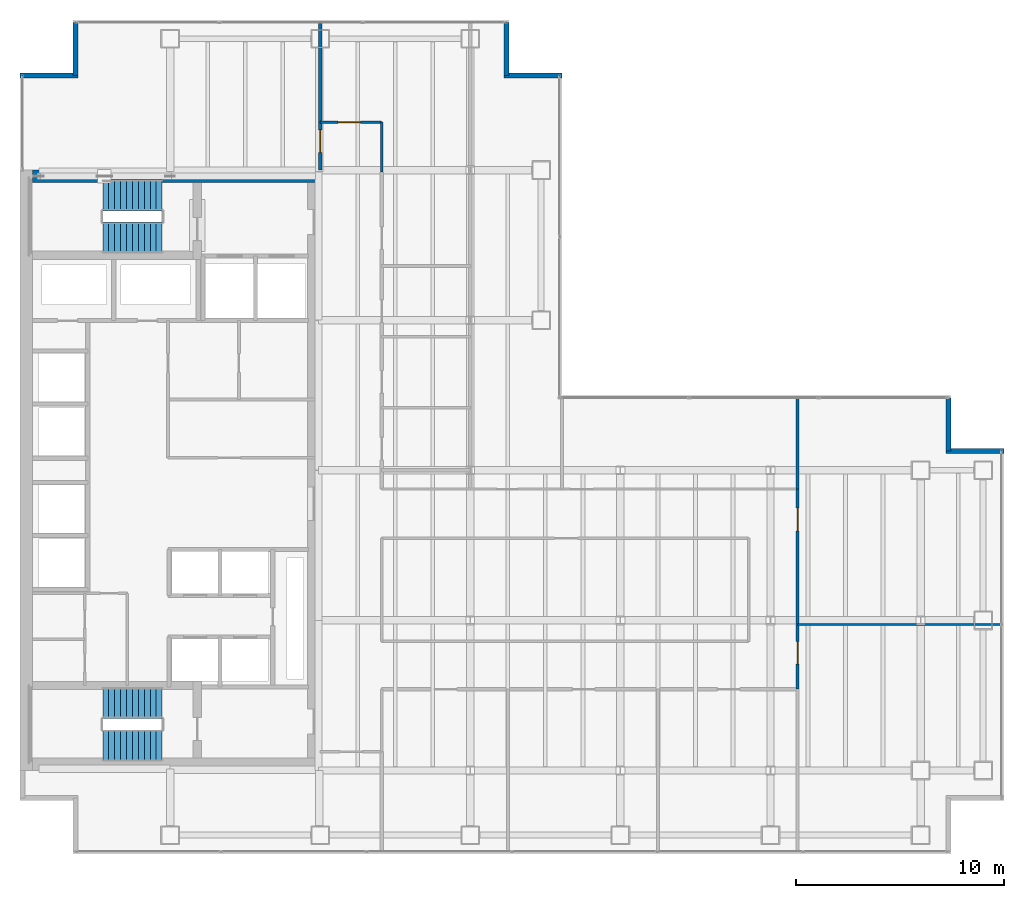
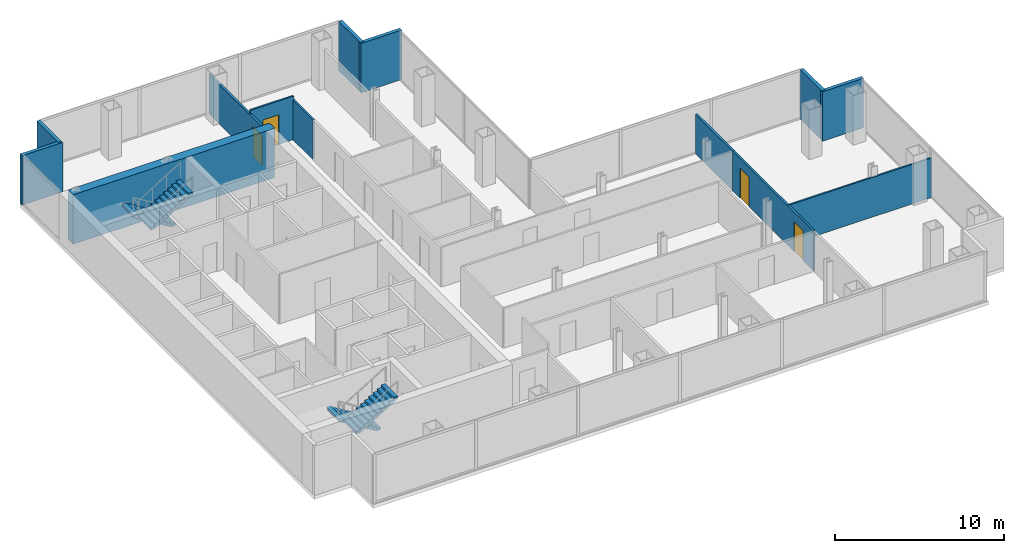
# One storey, part 22 of 23: 13 walls, 4 doors, 4 stair flights, 4 openings, 2 elements without a shape of their own.
"""IFC4 building model written with IfcOpenShell, lengths in metres."""

import ifcopenshell
import ifcopenshell.guid

model = None  # the IFC model being written
_history = None  # IfcOwnerHistory: only IFC2X3 demands one
_inside = {}  # id of a spatial element -> (the spatial element, [elements in it])
_under = {}  # id of a project, library or spatial element -> (it, [spatial elements below it])
_declared = {}  # id of a project -> (the project, [libraries it declares])
_typed = {}  # id of a type object -> (the type object, [elements of that type])
_made_of = {}  # id of a material, layer set ... -> (it, [elements and type objects made of it])


def new_model(schema):
    """Start an empty IFC model of exactly this schema.

    Asked for "IFC4X3", IfcOpenShell would pick the latest addendum, in which some entities
    have other attributes; the version numbers below select the first issue.
    IFC2X3 requires an IfcOwnerHistory on every rooted entity: one is made here for all.
    """
    global model, _history
    if schema == "IFC4X3":
        model = ifcopenshell.file(schema_version=(4, 3, 0, 0))
    else:
        model = ifcopenshell.file(schema=schema)
    _inside.clear()
    _under.clear()
    _declared.clear()
    _typed.clear()
    _made_of.clear()
    _history = None
    if model.schema == "IFC2X3":
        org = make("IfcOrganization", Name="unknown")
        user = make(
            "IfcPersonAndOrganization",
            ThePerson=make("IfcPerson", FamilyName="unknown"),
            TheOrganization=org,
        )
        app = make(
            "IfcApplication",
            ApplicationDeveloper=org,
            Version="unknown",
            ApplicationFullName="unknown",
            ApplicationIdentifier="unknown",
        )
        _history = make(
            "IfcOwnerHistory",
            OwningUser=user,
            OwningApplication=app,
            ChangeAction="ADDED",
            CreationDate=0,
        )
    return model


def make(cls, **values):
    """One entity of the class cls with the attributes given. An attribute that is None is left unset."""
    return model.create_entity(
        cls, **{name: value for name, value in values.items() if value is not None}
    )


def rooted(cls, **values):
    """An entity with a GlobalId (a new one), such as an element, a storey or a relation."""
    return make(cls, GlobalId=ifcopenshell.guid.new(), OwnerHistory=_history, **values)


def si_unit(unit_type, name, prefix=None):
    """IfcSIUnit, for example si_unit("LENGTHUNIT", "METRE", prefix="MILLI")."""
    return make("IfcSIUnit", UnitType=unit_type, Prefix=prefix, Name=name)


def assignment(units):
    """IfcUnitAssignment: the units of a project."""
    return None if units is None else make("IfcUnitAssignment", Units=units)


def point(xyz):
    """IfcCartesianPoint."""
    return None if xyz is None else make("IfcCartesianPoint", Coordinates=xyz)


def direction(xyz):
    """IfcDirection."""
    return None if xyz is None else make("IfcDirection", DirectionRatios=xyz)


def frame(location, z_axis=None, x_axis=None):
    """IfcAxis2Placement3D, a coordinate frame: its origin and axes. An axis left out is left unset."""
    return make(
        "IfcAxis2Placement3D",
        Location=point(location),
        Axis=direction(z_axis),
        RefDirection=direction(x_axis),
    )


def frame_2d(location, x_axis=None):
    """IfcAxis2Placement2D, a coordinate frame in the plane: its origin and x axis."""
    return make(
        "IfcAxis2Placement2D", Location=point(location), RefDirection=direction(x_axis)
    )


def origin():
    """The frame at (0, 0, 0) with its axes left unset."""
    return frame((0.0, 0.0, 0.0))


def place(relative_to, where):
    """IfcLocalPlacement: puts the frame where relative to a parent placement (None: the world)."""
    return make(
        "IfcLocalPlacement", PlacementRelTo=relative_to, RelativePlacement=where
    )


def context(
    kind, dimensions, precision=None, world=None, true_north=None, identifier=None
):
    """IfcGeometricRepresentationContext, for example the 3D "Model" context."""
    return make(
        "IfcGeometricRepresentationContext",
        ContextIdentifier=identifier,
        ContextType=kind,
        CoordinateSpaceDimension=dimensions,
        Precision=precision,
        WorldCoordinateSystem=world,
        TrueNorth=true_north,
    )


def subcontext(parent, identifier, kind, view, scale=None):
    """IfcGeometricRepresentationSubContext, for example "Body" below "Model"."""
    return make(
        "IfcGeometricRepresentationSubContext",
        ContextIdentifier=identifier,
        ContextType=kind,
        ParentContext=parent,
        TargetScale=scale,
        TargetView=view,
    )


def project(units=None, contexts=None):
    """IfcProject with its units and contexts."""
    return rooted(
        "IfcProject",
        Name="project",
        RepresentationContexts=contexts,
        UnitsInContext=assignment(units),
    )


def spatial(cls, under=None, at=None, **own):
    """A site, building, storey or space (cls), placed at a placement, below another one or the project."""
    s = rooted(cls, ObjectPlacement=at, **own)
    if under is not None:
        _under.setdefault(under.id(), (under, []))[1].append(s)
    return s


def polyline(points):
    """IfcPolyline through the points."""
    return make("IfcPolyline", Points=[point(p) for p in points])


def profile(cls, at=None, kind="AREA", **sizes):
    """A parametric profile (cls). Its sizes go by their IFC names, for example OverallWidth=200.0."""
    return make(cls, ProfileType=kind, Position=at, **sizes)


def rectangle(**sizes):
    """IfcRectangleProfileDef."""
    return profile("IfcRectangleProfileDef", **sizes)


def outline(outer, holes=None, kind="AREA"):
    """IfcArbitraryClosedProfileDef: a profile drawn as a closed curve; with holes, ...WithVoids."""
    if holes is None:
        return make("IfcArbitraryClosedProfileDef", ProfileType=kind, OuterCurve=outer)
    return make(
        "IfcArbitraryProfileDefWithVoids",
        ProfileType=kind,
        OuterCurve=outer,
        InnerCurves=holes,
    )


def extrude(swept, where, along, depth):
    """IfcExtrudedAreaSolid: the profile swept, set in the frame where, extruded along a direction by depth."""
    return make(
        "IfcExtrudedAreaSolid",
        SweptArea=swept,
        Position=where,
        ExtrudedDirection=direction(along),
        Depth=depth,
    )


def shape(context_of_items, identifier, shape_type, items):
    """IfcShapeRepresentation: the items that make up one representation, for example the "Body"."""
    return make(
        "IfcShapeRepresentation",
        ContextOfItems=context_of_items,
        RepresentationIdentifier=identifier,
        RepresentationType=shape_type,
        Items=items,
    )


def material(Name=None, Category=None):
    """IfcMaterial."""
    return make("IfcMaterial", Name=Name, Category=Category)


def layer(
    of_material, thickness, ventilated=None, Name=None, Category=None, Priority=None
):
    """IfcMaterialLayer: one layer of a wall or slab, of a material (None: an air gap)."""
    return make(
        "IfcMaterialLayer",
        Material=of_material,
        LayerThickness=thickness,
        IsVentilated=ventilated,
        Name=Name,
        Category=Category,
        Priority=Priority,
    )


def layer_set(layers, Name=None):
    """IfcMaterialLayerSet."""
    return make("IfcMaterialLayerSet", MaterialLayers=layers, LayerSetName=Name)


def made_of(thing, what):
    """Note that an element or type object is made of a material, layer set ...; save() writes the relation."""
    if what is not None:
        _made_of.setdefault(what.id(), (what, []))[1].append(thing)
    return thing


def type_object(cls, material=None, **own):
    """A type object (cls), such as IfcWallType, which elements share."""
    return made_of(rooted(cls, **own), material)


def element(
    cls,
    number,
    at=None,
    inside=None,
    cuts=None,
    type_object=None,
    material=None,
    context=None,
    identifier="Body",
    shape_type=None,
    held_by="IfcProductDefinitionShape",
    body=None,
    shapes=None,
    **own,
):
    """One element of the class cls, such as IfcWall. Its Tag is "e" and its number.

    at: its placement. inside: the storey or other place that contains it. cuts: it is an
    opening in that element (IfcRelVoidsElement). A single representation is given by context,
    identifier, shape_type and body (its items); several are given by shapes. held_by: the class
    of the entity that holds the representations. save() writes the other relations.
    """
    e = rooted(cls, Tag="e%d" % number, ObjectPlacement=at, **own)
    if body is not None:
        shapes = [shape(context, identifier, shape_type, body)]
    if shapes is not None:
        e.Representation = make(held_by, Representations=shapes)
    if inside is not None:
        _inside.setdefault(inside.id(), (inside, []))[1].append(e)
    if cuts is not None:
        rooted(
            "IfcRelVoidsElement", RelatingBuildingElement=cuts, RelatedOpeningElement=e
        )
    if type_object is not None:
        _typed.setdefault(type_object.id(), (type_object, []))[1].append(e)
    return made_of(e, material)


def fill(opening, filler):
    """IfcRelFillsElement: the door or window that sits in an opening."""
    return rooted(
        "IfcRelFillsElement",
        RelatingOpeningElement=opening,
        RelatedBuildingElement=filler,
    )


def aggregate(whole, parts):
    """IfcRelAggregates: a whole, such as a stair, and the parts it consists of."""
    return rooted("IfcRelAggregates", RelatingObject=whole, RelatedObjects=parts)


def save(model, path):
    """Write the relations noted so far, then the file.

    IfcRelAggregates (storeys below a building ...), IfcRelContainedInSpatialStructure (elements
    in a storey), IfcRelDefinesByType, IfcRelAssociatesMaterial and IfcRelDeclares: one each for
    every whole, place, type object, material and project.
    """
    for whole, parts in _under.values():
        aggregate(whole, parts)
    for where, things in _inside.values():
        rooted(
            "IfcRelContainedInSpatialStructure",
            RelatedElements=things,
            RelatingStructure=where,
        )
    for kind, things in _typed.values():
        rooted("IfcRelDefinesByType", RelatedObjects=things, RelatingType=kind)
    for what, things in _made_of.values():
        rooted("IfcRelAssociatesMaterial", RelatedObjects=things, RelatingMaterial=what)
    for by, libraries in _declared.values():
        rooted("IfcRelDeclares", RelatingContext=by, RelatedDefinitions=libraries)
    model.write(path)


model = new_model("IFC4")

# Units and contexts
model_context = context("Model", 3, precision=1e-05, world=origin(), true_north=direction((0.0, 1.0)))
body_context = subcontext(model_context, "Body", "Model", "MODEL_VIEW")
ifc_project = project(units=[si_unit("LENGTHUNIT", "METRE"), si_unit("AREAUNIT", "SQUARE_METRE"), si_unit("VOLUMEUNIT", "CUBIC_METRE"), si_unit("PLANEANGLEUNIT", "RADIAN"), si_unit("MASSUNIT", "GRAM", prefix="KILO")], contexts=[model_context])

# Site, building, storey
site_placement = place(None, origin())
site = spatial("IfcSite", under=ifc_project, at=site_placement, CompositionType="ELEMENT")
building_placement = place(site_placement, origin())
building = spatial("IfcBuilding", under=site, at=building_placement, Name="Cobrela Telecom Tower", CompositionType="ELEMENT")
storey_placement = place(building_placement, frame((0.0, 0.0, 133.0)))
storey = spatial("IfcBuildingStorey", under=building, at=storey_placement, Name="L33", CompositionType="ELEMENT", Elevation=133.0)

# Walls
ifc_material_1 = material(Name="Concrete C50/60", Category="concrete")
ifc_layer_1 = layer(ifc_material_1, 0.60009765625)
ifc_layer_set_1 = layer_set([ifc_layer_1], Name="Concrete C50/60")
wall_type_1 = type_object("IfcWallType", Name="WALL-CORE-C50-600", PredefinedType="SHEAR", material=ifc_layer_set_1)
wall_1_placement = place(storey_placement, frame((0.60009765625, 35.699951171875, 0.0), z_axis=(0.0, 0.0, 1.0), x_axis=(1.0, 0.0, 0.0)))
element("IfcWall", 1, at=wall_1_placement, inside=storey, type_object=wall_type_1, Name="L33 North Core Shear Wall", PredefinedType="SHEAR", context=body_context, shape_type="SweptSolid", body=[
    extrude(rectangle(XDim=13.7998046875, YDim=0.60009765625, at=frame_2d((6.89990234375, 0.0))), origin(), (0.0, 0.0, 1.0), 3.580078125),
])
ifc_material_2 = material(Name="Concrete C40/50", Category="concrete")
ifc_layer_2 = layer(ifc_material_2, 0.239990234375)
ifc_layer_set_2 = layer_set([ifc_layer_2], Name="Concrete C40/50")
wall_type_2 = type_object("IfcWallType", Name="WALL-EXT-300", PredefinedType="STANDARD", material=ifc_layer_set_2)
wall_2_placement = place(storey_placement, frame((0.0, 40.530029296875, 0.0), z_axis=(0.0, 0.0, 1.0), x_axis=(1.0, 0.0, 0.0)))
element("IfcWall", 2, at=wall_2_placement, inside=storey, type_object=wall_type_2, Name="L33 Insulated Facade Wall 05", PredefinedType="STANDARD", context=body_context, shape_type="SweptSolid", body=[
    extrude(rectangle(XDim=2.7900390625, YDim=0.239990234375, at=frame_2d((1.39501953125, 0.0))), origin(), (0.0, 0.0, 1.0), 3.580078125),
])
for number, where, z_axis, x_axis, name in (
    (3, (2.669921875, 40.530029296875, 0.0), (0.0, 0.0, 1.0), (0.0, 1.0, 0.0), "L33 Insulated Facade Wall 06"),
    (4, (23.330078125, 43.080078125, 0.0), (0.0, 0.0, 1.0), (0.0, -1.0, 0.0), "L33 Insulated Facade Wall 08"),
):
    element("IfcWall", number, at=place(storey_placement, frame(where, z_axis=z_axis, x_axis=x_axis)), inside=storey, type_object=wall_type_2, Name=name, PredefinedType="STANDARD", context=body_context, shape_type="SweptSolid", body=[
        extrude(rectangle(XDim=2.550048828125, YDim=0.239990234375, at=frame_2d((1.27490234375, 0.0))), origin(), (0.0, 0.0, 1.0), 3.580078125),
    ])
wall_3_placement = place(storey_placement, frame((23.2099609375, 40.530029296875, 0.0), z_axis=(0.0, 0.0, 1.0), x_axis=(1.0, 0.0, 0.0)))
element("IfcWall", 5, at=wall_3_placement, inside=storey, type_object=wall_type_2, Name="L33 Insulated Facade Wall 09", PredefinedType="STANDARD", context=body_context, shape_type="SweptSolid", body=[
    extrude(rectangle(XDim=2.7900390625, YDim=0.239990234375, at=frame_2d((1.39501953125, 0.0))), origin(), (0.0, 0.0, 1.0), 3.580078125),
])
wall_4_placement = place(storey_placement, frame((44.530029296875, 25.080078125, 0.0), z_axis=(0.0, 0.0, 1.0), x_axis=(0.0, -1.0, 0.0)))
element("IfcWall", 6, at=wall_4_placement, inside=storey, type_object=wall_type_2, Name="L33 Insulated Facade Wall 12", PredefinedType="STANDARD", context=body_context, shape_type="SweptSolid", body=[
    extrude(rectangle(XDim=2.550048828125, YDim=0.239990234375, at=frame_2d((1.27490234375, 0.0))), origin(), (0.0, 0.0, 1.0), 3.580078125),
])
wall_5_placement = place(storey_placement, frame((44.409912109375, 22.530029296875, 0.0), z_axis=(0.0, 0.0, 1.0), x_axis=(1.0, 0.0, 0.0)))
element("IfcWall", 7, at=wall_5_placement, inside=storey, type_object=wall_type_2, Name="L33 Insulated Facade Wall 13", PredefinedType="STANDARD", context=body_context, shape_type="SweptSolid", body=[
    extrude(rectangle(XDim=2.7900390625, YDim=0.239990234375, at=frame_2d((1.39501953125, 0.0))), origin(), (0.0, 0.0, 1.0), 3.580078125),
])

# Wall, opening, door
ifc_material_3 = material(Name="Fire-Rated Gypsum Plasterboard")
ifc_layer_3 = layer(ifc_material_3, 0.110107421875)
ifc_layer_set_3 = layer_set([ifc_layer_3], Name="Fire-Rated Gypsum Plasterboard")
wall_type_3 = type_object("IfcWallType", Name="WALL-PART-110", PredefinedType="PARTITIONING", material=ifc_layer_set_3)
wall_6_placement = place(storey_placement, frame((14.39990234375, 38.300048828125, 0.0), z_axis=(0.0, 0.0, 1.0), x_axis=(1.0, 0.0, 0.0)))
wall_6 = element("IfcWall", 8, at=wall_6_placement, inside=storey, type_object=wall_type_3, Name="L33 Interior Partition W-UWN-T", PredefinedType="PARTITIONING", context=body_context, shape_type="SweptSolid", body=[
    extrude(rectangle(XDim=2.9501953125, YDim=0.110107421875, at=frame_2d((1.47509765625, 0.0))), origin(), (0.0, 0.0, 1.0), 3.14794921875),
])
opening_1_placement = place(wall_6_placement, frame((0.85009765625, 0.0, 0.0)))
opening_1 = element("IfcOpeningElement", 9, at=opening_1_placement, cuts=wall_6, Name="Opening DR-63", PredefinedType="OPENING", context=body_context, shape_type="SweptSolid", body=[
    extrude(rectangle(XDim=1.080078125, YDim=2.14990234375, at=frame_2d((0.5400390625, 1.074951171875))), frame((0.0, 0.06689453125, 0.0), z_axis=(0.0, -1.0, 0.0), x_axis=(1.0, 0.0, 0.0)), (0.0, 0.0, 1.0), 0.134033203125),
])
ifc_material_4 = material(Name="Solid Engineered Oak Timber", Category="wood")
door_type = type_object("IfcDoorType", Name="DOOR-INT-1080", OperationType="SINGLE_SWING_LEFT", PredefinedType="DOOR", material=ifc_material_4)
door_1_placement = place(opening_1_placement, origin())
door_1 = element("IfcDoor", 10, at=door_1_placement, inside=storey, type_object=door_type, Name="L33 Door DR-63", OperationType="SINGLE_SWING_RIGHT", OverallHeight=2.14990234375, OverallWidth=1.080078125, PredefinedType="DOOR", context=body_context, shape_type="SweptSolid", body=[
    extrude(rectangle(XDim=1.080078125, YDim=2.14990234375, at=frame_2d((0.5400390625, 1.074951171875))), frame((0.0, 0.02490234375, 0.0), z_axis=(0.0, -1.0, 0.0), x_axis=(1.0, 0.0, 0.0)), (0.0, 0.0, 1.0), 0.050048828125),
])
fill(opening_1, door_1)

# Wall
wall_7_placement = place(storey_placement, frame((37.300048828125, 14.199951171875, 0.0), z_axis=(0.0, 0.0, 1.0), x_axis=(1.0, 0.0, 0.0)))
element("IfcWall", 11, at=wall_7_placement, inside=storey, type_object=wall_type_3, Name="L33 Interior Partition W-UFE-H", PredefinedType="PARTITIONING", context=body_context, shape_type="SweptSolid", body=[
    extrude(rectangle(XDim=9.780029296875, YDim=0.110107421875, at=frame_2d((4.89013671875, 0.0))), origin(), (0.0, 0.0, 1.0), 2.868896484375),
])

# Wall, openings, doors
ifc_layer_4 = layer(ifc_material_3, 0.135009765625)
ifc_layer_set_4 = layer_set([ifc_layer_4], Name="Fire-Rated Gypsum Plasterboard")
wall_type_4 = type_object("IfcWallType", Name="WALL-PART-135", PredefinedType="PARTITIONING", material=ifc_layer_set_4)
wall_8_placement = place(storey_placement, frame((37.300048828125, 11.10009765625, 0.0), z_axis=(0.0, 0.0, 1.0), x_axis=(0.0, 1.0, 0.0)))
wall_8 = element("IfcWall", 12, at=wall_8_placement, inside=storey, type_object=wall_type_4, Name="L33 Interior Partition W-UE-E", PredefinedType="PARTITIONING", context=body_context, shape_type="SweptSolid", body=[
    extrude(rectangle(XDim=9.599853515625, YDim=0.135009765625, at=frame_2d((4.7998046875, 0.0))), origin(), (0.0, 0.0, 1.0), 2.868896484375),
])
opening_2_placement = place(wall_8_placement, frame((1.199951171875, 0.0, 0.0)))
opening_2 = element("IfcOpeningElement", 13, at=opening_2_placement, cuts=wall_8, Name="Opening DR-63", PredefinedType="OPENING", context=body_context, shape_type="SweptSolid", body=[
    extrude(rectangle(XDim=1.080078125, YDim=2.14990234375, at=frame_2d((0.5400390625, 1.074951171875))), frame((0.0, 0.07958984375, 0.0), z_axis=(0.0, -1.0, 0.0), x_axis=(1.0, 0.0, 0.0)), (0.0, 0.0, 1.0), 0.158935546875),
])
opening_3_placement = place(wall_8_placement, frame((7.60009765625, 0.0, 0.0)))
opening_3 = element("IfcOpeningElement", 14, at=opening_3_placement, cuts=wall_8, Name="Opening DR-63", PredefinedType="OPENING", context=body_context, shape_type="SweptSolid", body=[
    extrude(rectangle(XDim=1.080078125, YDim=2.14990234375, at=frame_2d((0.5400390625, 1.074951171875))), frame((0.0, 0.07958984375, 0.0), z_axis=(0.0, -1.0, 0.0), x_axis=(1.0, 0.0, 0.0)), (0.0, 0.0, 1.0), 0.158935546875),
])
door_2_placement = place(opening_2_placement, origin())
door_2 = element("IfcDoor", 15, at=door_2_placement, inside=storey, type_object=door_type, Name="L33 Door DR-63", OperationType="SINGLE_SWING_LEFT", OverallHeight=2.14990234375, OverallWidth=1.080078125, PredefinedType="DOOR", context=body_context, shape_type="SweptSolid", body=[
    extrude(rectangle(XDim=1.080078125, YDim=2.14990234375, at=frame_2d((0.5400390625, 1.074951171875))), frame((0.0, 0.02490234375, 0.0), z_axis=(0.0, -1.0, 0.0), x_axis=(1.0, 0.0, 0.0)), (0.0, 0.0, 1.0), 0.050048828125),
])
fill(opening_2, door_2)
door_3_placement = place(opening_3_placement, origin())
door_3 = element("IfcDoor", 16, at=door_3_placement, inside=storey, type_object=door_type, Name="L33 Door DR-63", OperationType="SINGLE_SWING_RIGHT", OverallHeight=2.14990234375, OverallWidth=1.080078125, PredefinedType="DOOR", context=body_context, shape_type="SweptSolid", body=[
    extrude(rectangle(XDim=1.080078125, YDim=2.14990234375, at=frame_2d((0.5400390625, 1.074951171875))), frame((0.0, 0.02490234375, 0.0), z_axis=(0.0, -1.0, 0.0), x_axis=(1.0, 0.0, 0.0)), (0.0, 0.0, 1.0), 0.050048828125),
])
fill(opening_3, door_3)

# Walls
wall_9_placement = place(storey_placement, frame((17.35009765625, 35.89990234375, 0.0), z_axis=(0.0, 0.0, 1.0), x_axis=(0.0, 1.0, 0.0)))
element("IfcWall", 17, at=wall_9_placement, inside=storey, type_object=wall_type_4, Name="L33 Interior Partition W-UWN-E", PredefinedType="PARTITIONING", context=body_context, shape_type="SweptSolid", body=[
    extrude(rectangle(XDim=2.400146484375, YDim=0.135009765625, at=frame_2d((1.2001953125, 0.0))), origin(), (0.0, 0.0, 1.0), 2.868896484375),
])
wall_10_placement = place(storey_placement, frame((37.300048828125, 20.699951171875, 0.0), z_axis=(0.0, 0.0, 1.0), x_axis=(0.0, 1.0, 0.0)))
element("IfcWall", 18, at=wall_10_placement, inside=storey, type_object=wall_type_4, Name="L33 Interior Partition W-UFE-N", PredefinedType="PARTITIONING", context=body_context, shape_type="SweptSolid", body=[
    extrude(rectangle(XDim=4.380126953125, YDim=0.135009765625, at=frame_2d((2.18994140625, 0.0))), origin(), (0.0, 0.0, 1.0), 2.868896484375),
])

# Wall, opening, door
ifc_layer_5 = layer(ifc_material_3, 0.14990234375)
ifc_layer_set_5 = layer_set([ifc_layer_5], Name="Fire-Rated Gypsum Plasterboard")
wall_type_5 = type_object("IfcWallType", Name="WALL-PART-150", PredefinedType="PARTITIONING", material=ifc_layer_set_5)
wall_11_placement = place(storey_placement, frame((14.39990234375, 36.0, 0.0), z_axis=(0.0, 0.0, 1.0), x_axis=(0.0, 1.0, 0.0)))
wall_11 = element("IfcWall", 19, at=wall_11_placement, inside=storey, type_object=wall_type_5, Name="L33 Interior Partition W-UWN-W", PredefinedType="PARTITIONING", context=body_context, shape_type="SweptSolid", body=[
    extrude(rectangle(XDim=7.080078125, YDim=0.14990234375, at=frame_2d((3.5400390625, 0.0))), origin(), (0.0, 0.0, 1.0), 2.868896484375),
])
opening_4_placement = place(wall_11_placement, frame((0.85009765625, 0.0, 0.0)))
opening_4 = element("IfcOpeningElement", 20, at=opening_4_placement, cuts=wall_11, Name="Opening DR-63", PredefinedType="OPENING", context=body_context, shape_type="SweptSolid", body=[
    extrude(rectangle(XDim=1.080078125, YDim=2.14990234375, at=frame_2d((0.5400390625, 1.074951171875))), frame((0.0, 0.0869140625, 0.0), z_axis=(0.0, -1.0, 0.0), x_axis=(1.0, 0.0, 0.0)), (0.0, 0.0, 1.0), 0.173828125),
])
door_4_placement = place(opening_4_placement, origin())
door_4 = element("IfcDoor", 21, at=door_4_placement, inside=storey, type_object=door_type, Name="L33 Door DR-63", OperationType="SINGLE_SWING_LEFT", OverallHeight=2.14990234375, OverallWidth=1.080078125, PredefinedType="DOOR", context=body_context, shape_type="SweptSolid", body=[
    extrude(rectangle(XDim=1.080078125, YDim=2.14990234375, at=frame_2d((0.5400390625, 1.074951171875))), frame((0.0, 0.02490234375, 0.0), z_axis=(0.0, -1.0, 0.0), x_axis=(1.0, 0.0, 0.0)), (0.0, 0.0, 1.0), 0.050048828125),
])
fill(opening_4, door_4)

# Stair, stair flights
stair_type = type_object("IfcStairType", Name="STAIR-CORE", PredefinedType="HALF_TURN_STAIR", material=ifc_material_2)
stair_1_placement = place(storey_placement, origin())
stair_1 = element("IfcStair", 22, at=stair_1_placement, inside=storey, type_object=stair_type, Name="L33 Smokeproof Exit Stair ST1", PredefinedType="HALF_TURN_STAIR")
stair_flight_type = type_object("IfcStairFlightType", Name="FLIGHT-CORE", PredefinedType="STRAIGHT", material=ifc_material_2)
stair_flight_1_placement = place(storey_placement, frame((6.820068359375, 34.800048828125, 0.0), z_axis=(0.0, 0.0, 1.0), x_axis=(-1.0, 0.0, 0.0)))
stair_flight_1 = element("IfcStairFlight", 23, at=stair_flight_1_placement, type_object=stair_flight_type, Name="ST1 flight 1", NumberOfRisers=11, NumberOfTreads=10, PredefinedType="STRAIGHT", RiserHeight=0.175, TreadLength=0.285, context=body_context, shape_type="SweptSolid", body=[
    extrude(outline(polyline([(0.0, 0.0), (0.0, 0.175048828125), (0.284912109375, 0.175048828125), (0.284912109375, 0.35009765625), (0.570068359375, 0.35009765625), (0.570068359375, 0.52490234375), (0.85498046875, 0.52490234375), (0.85498046875, 0.699951171875), (1.139892578125, 0.699951171875), (1.139892578125, 0.875), (1.425048828125, 0.875), (1.425048828125, 1.050048828125), (1.7099609375, 1.050048828125), (1.7099609375, 1.22509765625), (1.9951171875, 1.22509765625), (1.9951171875, 1.39990234375), (2.280029296875, 1.39990234375), (2.280029296875, 1.574951171875), (2.56494140625, 1.574951171875), (2.56494140625, 1.75), (2.85009765625, 1.75), (2.85009765625, 1.925048828125), (2.85009765625, 1.573974609375), (0.286376953125, 0.0), (0.0, 0.0)])), frame((0.0, 0.75, 0.0), z_axis=(0.0, -1.0, 0.0), x_axis=(1.0, 0.0, 0.0)), (0.0, 0.0, 1.0), 1.5),
])
stair_flight_2_placement = place(storey_placement, frame((3.969970703125, 32.75, 1.925048828125), z_axis=(0.0, 0.0, 1.0), x_axis=(1.0, 0.0, 0.0)))
stair_flight_2 = element("IfcStairFlight", 24, at=stair_flight_2_placement, type_object=stair_flight_type, Name="ST1 flight 2", NumberOfRisers=11, NumberOfTreads=10, PredefinedType="STRAIGHT", RiserHeight=0.175, TreadLength=0.285, context=body_context, shape_type="SweptSolid", body=[
    extrude(outline(polyline([(0.0, 0.0), (0.0, 0.175048828125), (0.284912109375, 0.175048828125), (0.284912109375, 0.35009765625), (0.570068359375, 0.35009765625), (0.570068359375, 0.52490234375), (0.85498046875, 0.52490234375), (0.85498046875, 0.699951171875), (1.139892578125, 0.699951171875), (1.139892578125, 0.875), (1.425048828125, 0.875), (1.425048828125, 1.050048828125), (1.7099609375, 1.050048828125), (1.7099609375, 1.22509765625), (1.9951171875, 1.22509765625), (1.9951171875, 1.39990234375), (2.280029296875, 1.39990234375), (2.280029296875, 1.574951171875), (2.56494140625, 1.574951171875), (2.56494140625, 1.75), (2.85009765625, 1.75), (2.85009765625, 1.925048828125), (2.85009765625, 1.573974609375), (0.286376953125, 0.0), (0.0, 0.0)])), frame((0.0, 0.75, 0.0), z_axis=(0.0, -1.0, 0.0), x_axis=(1.0, 0.0, 0.0)), (0.0, 0.0, 1.0), 1.5),
])
aggregate(stair_1, [stair_flight_1, stair_flight_2])

stair_2_placement = place(storey_placement, origin())
stair_2 = element("IfcStair", 25, at=stair_2_placement, inside=storey, type_object=stair_type, Name="L33 Smokeproof Exit Stair ST2", PredefinedType="HALF_TURN_STAIR")
stair_flight_3_placement = place(storey_placement, frame((6.820068359375, 10.449951171875, 0.0), z_axis=(0.0, 0.0, 1.0), x_axis=(-1.0, 0.0, 0.0)))
stair_flight_3 = element("IfcStairFlight", 26, at=stair_flight_3_placement, type_object=stair_flight_type, Name="ST2 flight 1", NumberOfRisers=11, NumberOfTreads=10, PredefinedType="STRAIGHT", RiserHeight=0.175, TreadLength=0.285, context=body_context, shape_type="SweptSolid", body=[
    extrude(outline(polyline([(0.0, 0.0), (0.0, 0.175048828125), (0.284912109375, 0.175048828125), (0.284912109375, 0.35009765625), (0.570068359375, 0.35009765625), (0.570068359375, 0.52490234375), (0.85498046875, 0.52490234375), (0.85498046875, 0.699951171875), (1.139892578125, 0.699951171875), (1.139892578125, 0.875), (1.425048828125, 0.875), (1.425048828125, 1.050048828125), (1.7099609375, 1.050048828125), (1.7099609375, 1.22509765625), (1.9951171875, 1.22509765625), (1.9951171875, 1.39990234375), (2.280029296875, 1.39990234375), (2.280029296875, 1.574951171875), (2.56494140625, 1.574951171875), (2.56494140625, 1.75), (2.85009765625, 1.75), (2.85009765625, 1.925048828125), (2.85009765625, 1.573974609375), (0.286376953125, 0.0), (0.0, 0.0)])), frame((0.0, 0.75, 0.0), z_axis=(0.0, -1.0, 0.0), x_axis=(1.0, 0.0, 0.0)), (0.0, 0.0, 1.0), 1.5),
])
stair_flight_4_placement = place(storey_placement, frame((3.969970703125, 8.39990234375, 1.925048828125), z_axis=(0.0, 0.0, 1.0), x_axis=(1.0, 0.0, 0.0)))
stair_flight_4 = element("IfcStairFlight", 27, at=stair_flight_4_placement, type_object=stair_flight_type, Name="ST2 flight 2", NumberOfRisers=11, NumberOfTreads=10, PredefinedType="STRAIGHT", RiserHeight=0.175, TreadLength=0.285, context=body_context, shape_type="SweptSolid", body=[
    extrude(outline(polyline([(0.0, 0.0), (0.0, 0.175048828125), (0.284912109375, 0.175048828125), (0.284912109375, 0.35009765625), (0.570068359375, 0.35009765625), (0.570068359375, 0.52490234375), (0.85498046875, 0.52490234375), (0.85498046875, 0.699951171875), (1.139892578125, 0.699951171875), (1.139892578125, 0.875), (1.425048828125, 0.875), (1.425048828125, 1.050048828125), (1.7099609375, 1.050048828125), (1.7099609375, 1.22509765625), (1.9951171875, 1.22509765625), (1.9951171875, 1.39990234375), (2.280029296875, 1.39990234375), (2.280029296875, 1.574951171875), (2.56494140625, 1.574951171875), (2.56494140625, 1.75), (2.85009765625, 1.75), (2.85009765625, 1.925048828125), (2.85009765625, 1.573974609375), (0.286376953125, 0.0), (0.0, 0.0)])), frame((0.0, 0.75, 0.0), z_axis=(0.0, -1.0, 0.0), x_axis=(1.0, 0.0, 0.0)), (0.0, 0.0, 1.0), 1.5),
])
aggregate(stair_2, [stair_flight_3, stair_flight_4])

save(model, "model.ifc")
